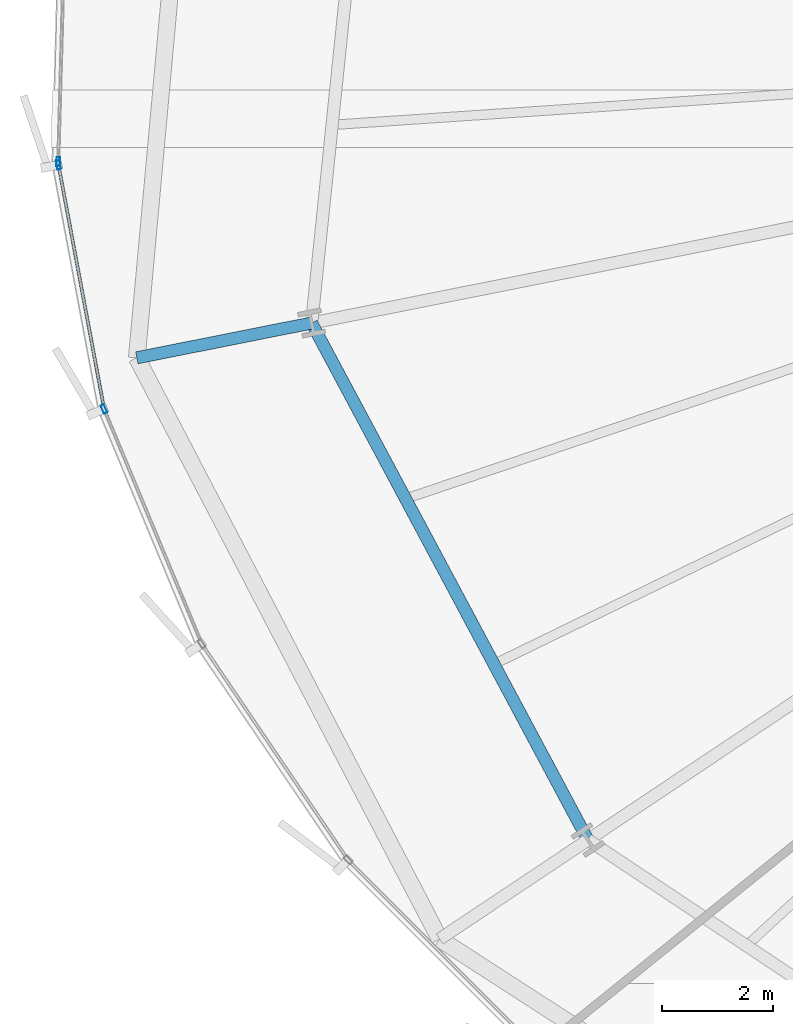
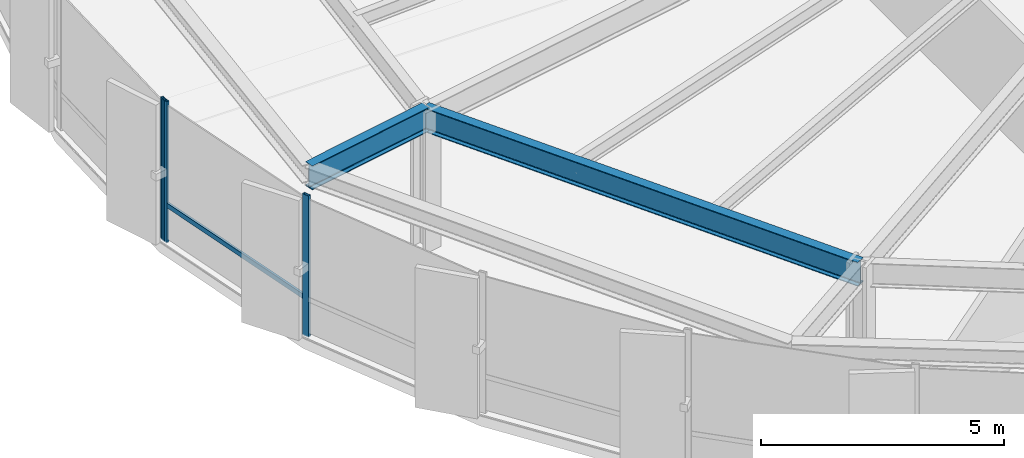
# One storey, part 7 of 37: 4 members, 2 beams, 2 elements without a shape of their own.
"""IFC4 building model written with IfcOpenShell, lengths in metres."""

from ifc_helpers import new_model, si_unit, direction, frame, origin, origin_2d, place, context, subcontext, project, spatial, hollow_rectangle, i_section, extrude, source, transform, mapped, material, layer, layer_set, material_profile, profile_set, type_object, element, aggregate, save


model = new_model("IFC4")

# Units and contexts
model_context = context("Model", 3, precision=1e-05, world=origin(), true_north=direction((0.0, 1.0)))
body_context = subcontext(model_context, "Body", "Model", "MODEL_VIEW")
ifc_project = project(units=[si_unit("LENGTHUNIT", "METRE"), si_unit("AREAUNIT", "SQUARE_METRE"), si_unit("VOLUMEUNIT", "CUBIC_METRE"), si_unit("PLANEANGLEUNIT", "RADIAN"), si_unit("MASSUNIT", "GRAM", prefix="KILO"), si_unit("THERMODYNAMICTEMPERATUREUNIT", "KELVIN")], contexts=[model_context])

# Site, building, storey
site_placement = place(None, origin())
site = spatial("IfcSite", under=ifc_project, at=site_placement, CompositionType="ELEMENT")
building_placement = place(site_placement, origin())
building = spatial("IfcBuilding", under=site, at=building_placement, Name="Kethvar Cultural Tower", CompositionType="ELEMENT")
storey_placement = place(building_placement, frame((0.0, 0.0, 48.60009765625)))
storey = spatial("IfcBuildingStorey", under=building, at=storey_placement, Name="L11", CompositionType="ELEMENT", Elevation=48.60009765625)

# Beams
ifc_material_1 = material(Name="Steel S355J2", Category="steel")
ifc_material_profile_1 = material_profile(ifc_material_1, i_section(OverallWidth=0.219970703125, OverallDepth=0.60009765625, WebThickness=0.011962890625, FlangeThickness=0.01904296875, FilletRadius=0.02392578125, at=origin_2d()), Name="Steel S355J2 — IPE600")
ifc_profile_set_1 = profile_set([ifc_material_profile_1], Name="Steel S355J2 — IPE600")
beam_type = type_object("IfcBeamType", Name="BM-IPE600", PredefinedType="BEAM", material=ifc_profile_set_1)
shared_shape_1 = source(origin(), body_context, "Body", "SweptSolid", [
    extrude(i_section(OverallWidth=0.219970703125, OverallDepth=0.60009765625, WebThickness=0.011962890625, FlangeThickness=0.01904296875, FilletRadius=0.02392578125, at=origin_2d()), origin(), (0.0, 0.0, 1.0), 3.199951171875),
])
beam_1_placement = place(storey_placement, frame((19.9658203125, 22.46240234375, 3.247802734375), z_axis=(-0.980785550224, -0.195088965533, 0.0), x_axis=(0.195088965533, -0.980785550224, 0.0)))
element("IfcBeam", 1, at=beam_1_placement, inside=storey, type_object=beam_type, Name="L11 Perimeter Cantilever Beam RC-09", PredefinedType="BEAM", context=body_context, shape_type="MappedRepresentation", body=[
    mapped(shared_shape_1, transform((0.0, 0.0, 0.0), scale=1.0)),
])
shared_shape_2 = source(origin(), body_context, "Body", "SweptSolid", [
    extrude(i_section(OverallWidth=0.219970703125, OverallDepth=0.60009765625, WebThickness=0.011962890625, FlangeThickness=0.01904296875, FilletRadius=0.02392578125, at=origin_2d()), origin(), (0.0, 0.0, 1.0), 10.52099609375),
])
beam_2_placement = place(storey_placement, frame((19.9658203125, 22.46240234375, 3.247802734375), z_axis=(0.471339616984, -0.881951793162, 0.0), x_axis=(0.881951793162, 0.471339616984, 0.0)))
element("IfcBeam", 2, at=beam_2_placement, inside=storey, type_object=beam_type, Name="L11 Column Ring Tie Beam CR-09", PredefinedType="BEAM", context=body_context, shape_type="MappedRepresentation", body=[
    mapped(shared_shape_2, transform((0.0, 0.0, 0.0), scale=1.0)),
])

# Curtain wall, member
ifc_material_2 = material(Name="Aluminium 6063-T6", Category="aluminium")
ifc_layer = layer(ifc_material_2, 0.179931640625, Name="Aluminium 6063-T6", Category="aluminium")
ifc_layer_set = layer_set([ifc_layer], Name="Aluminium 6063-T6 (180 mm)")
curtain_wall_type = type_object("IfcCurtainWallType", Name="CW-SYS-02-Z1", PredefinedType="NOTDEFINED", material=ifc_layer_set)
curtain_wall_1_placement = place(storey_placement, origin())
curtain_wall_1 = element("IfcCurtainWall", 3, at=curtain_wall_1_placement, inside=storey, type_object=curtain_wall_type, Name="L11 Curtain Wall Run 03", PredefinedType="NOTDEFINED")
ifc_material_profile_2 = material_profile(ifc_material_2, hollow_rectangle(XDim=0.06494140625, YDim=0.159912109375, WallThickness=0.0048828125, at=origin_2d()), Name="Aluminium 6063-T6 — RHS160x65x5")
ifc_profile_set_2 = profile_set([ifc_material_profile_2], Name="Aluminium 6063-T6 — RHS160x65x5")
member_type_1 = type_object("IfcMemberType", Name="CW-SYS-02-Z1-MUL", PredefinedType="MULLION", material=ifc_profile_set_2)
shared_shape_3 = source(origin(), body_context, "Body", "SweptSolid", [
    extrude(hollow_rectangle(XDim=0.06494140625, YDim=0.159912109375, WallThickness=0.0048828125, at=origin_2d()), origin(), (0.0, 0.0, 1.0), 3.5498046875),
])
member_1_placement = place(storey_placement, frame((15.4169921875, 25.359619140625, 0.0), z_axis=(0.0, 0.0, 1.0), x_axis=(0.999614488629, -0.02776461999, 0.0)))
member_1 = element("IfcMember", 4, at=member_1_placement, type_object=member_type_1, Name="CW-L11-R03 Mullion 7", PredefinedType="MULLION", context=body_context, shape_type="MappedRepresentation", body=[
    mapped(shared_shape_3, transform((0.0, 0.0, 0.0), scale=1.0)),
])
aggregate(curtain_wall_1, [member_1])

# Curtain wall, members
curtain_wall_2_placement = place(storey_placement, origin())
curtain_wall_2 = element("IfcCurtainWall", 5, at=curtain_wall_2_placement, inside=storey, type_object=curtain_wall_type, Name="L11 Curtain Wall Run 04", PredefinedType="NOTDEFINED")
member_2_placement = place(storey_placement, frame((15.421630859375, 25.301025390625, 0.0), z_axis=(0.0, 0.0, 1.0), x_axis=(0.982961024022, 0.183814105155, 0.0)))
member_2 = element("IfcMember", 6, at=member_2_placement, type_object=member_type_1, Name="CW-L11-R04 Mullion 1", PredefinedType="MULLION", context=body_context, shape_type="MappedRepresentation", body=[
    mapped(shared_shape_3, transform((0.0, 0.0, 0.0), scale=1.0)),
])
member_3_placement = place(storey_placement, frame((16.23828125, 20.919677734375, 0.0), z_axis=(0.0, 0.0, 1.0), x_axis=(0.923210217113, 0.38429532266, 0.0)))
member_3 = element("IfcMember", 7, at=member_3_placement, type_object=member_type_1, Name="CW-L11-R04 Mullion 2", PredefinedType="MULLION", context=body_context, shape_type="MappedRepresentation", body=[
    mapped(shared_shape_3, transform((0.0, 0.0, 0.0), scale=1.0)),
])
ifc_material_profile_3 = material_profile(ifc_material_2, hollow_rectangle(XDim=0.054931640625, YDim=0.1201171875, WallThickness=0.00390625, at=origin_2d()), Name="Aluminium 6063-T6 — RHS120x55x4")
ifc_profile_set_3 = profile_set([ifc_material_profile_3], Name="Aluminium 6063-T6 — RHS120x55x4")
member_type_2 = type_object("IfcMemberType", Name="CW-SYS-02-Z1-TRN", PredefinedType="USERDEFINED", material=ifc_profile_set_3)
shared_shape_4 = source(origin(), body_context, "Body", "SweptSolid", [
    extrude(hollow_rectangle(XDim=0.054931640625, YDim=0.1201171875, WallThickness=0.00390625, at=origin_2d()), origin(), (0.0, 0.0, 1.0), 4.430419921875),
])
member_4_placement = place(storey_placement, frame((15.422607421875, 25.296630859375, 0.949951171875), z_axis=(0.183776134805, -0.982968123733, 0.0), x_axis=(0.982968123733, 0.183776134805, 0.0)))
member_4 = element("IfcMember", 8, at=member_4_placement, type_object=member_type_2, Name="CW-L11-R04 Transom 1", ObjectType="TRANSOM", PredefinedType="USERDEFINED", context=body_context, shape_type="MappedRepresentation", body=[
    mapped(shared_shape_4, transform((0.0, 0.0, 0.0), scale=1.0)),
])
aggregate(curtain_wall_2, [member_2, member_3, member_4])

save(model, "model.ifc")
